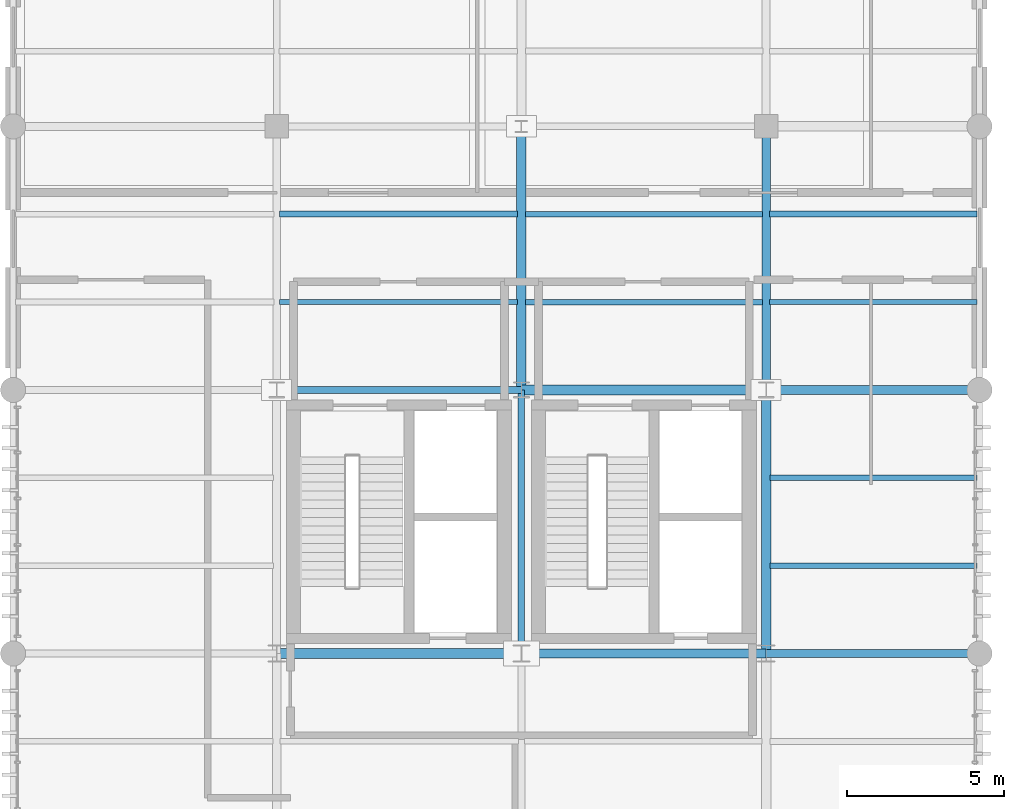
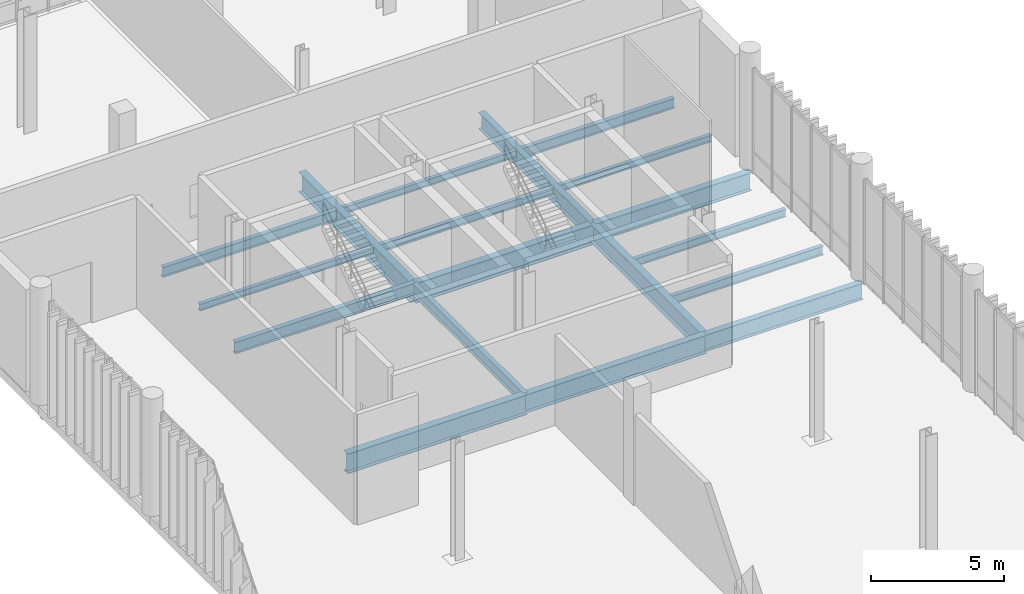
# One storey, part 66 of 112: 18 beams.
"""IFC4 building model written with IfcOpenShell, lengths in metres."""

from ifc_helpers import new_model, si_unit, direction, frame, origin_with_axes, origin_2d_with_axis, place, context, subcontext, project, spatial, i_section, extrude, material, material_profile, profile_set, type_object, element, save


model = new_model("IFC4")

# Units and contexts
model_context = context("Model", 3, precision=1e-05, world=origin_with_axes(), true_north=direction((0.0, 1.0)))
body_context = subcontext(model_context, "Body", "Model", "MODEL_VIEW")
ifc_project = project(units=[si_unit("LENGTHUNIT", "METRE"), si_unit("AREAUNIT", "SQUARE_METRE"), si_unit("VOLUMEUNIT", "CUBIC_METRE"), si_unit("PLANEANGLEUNIT", "RADIAN"), si_unit("MASSUNIT", "GRAM", prefix="KILO"), si_unit("THERMODYNAMICTEMPERATUREUNIT", "KELVIN")], contexts=[model_context])

# Site, building, storey
site_placement = place(None, origin_with_axes())
site = spatial("IfcSite", under=ifc_project, at=site_placement, CompositionType="ELEMENT")
building_placement = place(site_placement, origin_with_axes())
building = spatial("IfcBuilding", under=site, at=building_placement, Name="Montbau Bow Law Courts", CompositionType="ELEMENT")
storey_placement = place(building_placement, origin_with_axes())
storey = spatial("IfcBuildingStorey", under=building, at=storey_placement, Name="L00", CompositionType="ELEMENT", Elevation=0.0)

# Beams
ifc_material = material(Name="Steel CSA G40.21 Grade 350W (350 MPa)", Category="steel")
ifc_material_profile_1 = material_profile(ifc_material, i_section(OverallWidth=0.306, OverallDepth=0.919, WebThickness=0.0173, FlangeThickness=0.0279, at=origin_2d_with_axis()), Name="W920X253", Category="Main", Priority=0)
ifc_profile_set_1 = profile_set([ifc_material_profile_1], Name="Steel CSA G40.21 Grade 350W (350 MPa)")
beam_type_1 = type_object("IfcBeamType", Name="B-FLR-01", PredefinedType="BEAM", material=ifc_profile_set_1)
for number, where, z_axis, x_axis, name in (
    (1, (147.0, 86.4, -0.72), (1.0, 0.0, 0.0), (0.0, 1.0, 0.0), "BM-L00-S0412:bm2_0415"),
    (2, (154.8, 94.8, -0.72), (1.0, 0.0, 0.0), (0.0, 1.0, 0.0), "BM-L00-S0417:bm2_0420"),
):
    element("IfcBeam", number, at=place(None, frame(where, z_axis=z_axis, x_axis=x_axis)), inside=storey, type_object=beam_type_1, Name=name, PredefinedType="BEAM", context=body_context, shape_type="SweptSolid", body=[
        extrude(i_section(OverallWidth=0.306, OverallDepth=0.919, WebThickness=0.0173, FlangeThickness=0.0279, at=origin_2d_with_axis()), origin_with_axes(), (0.0, 0.0, 1.0), 7.8),
    ])
beam_1_placement = place(None, frame((154.8, 94.8, -0.72), z_axis=(0.0, 1.0, 0.0), x_axis=(-1.0, 0.0, 0.0)))
element("IfcBeam", 3, at=beam_1_placement, inside=storey, type_object=beam_type_1, Name="BM-L00-S0449:bm2_0452", PredefinedType="BEAM", context=body_context, shape_type="SweptSolid", body=[
    extrude(i_section(OverallWidth=0.306, OverallDepth=0.919, WebThickness=0.0173, FlangeThickness=0.0279, at=origin_2d_with_axis()), origin_with_axes(), (0.0, 0.0, 1.0), 8.4),
])
ifc_material_profile_2 = material_profile(ifc_material, i_section(OverallWidth=0.293, OverallDepth=0.846, WebThickness=0.0154, FlangeThickness=0.0244, at=origin_2d_with_axis()), Name="W840X210", Category="Main", Priority=0)
ifc_profile_set_2 = profile_set([ifc_material_profile_2], Name="Steel CSA G40.21 Grade 350W (350 MPa)")
beam_type_2 = type_object("IfcBeamType", Name="B-FLR-02", PredefinedType="BEAM", material=ifc_profile_set_2)
beam_2_placement = place(None, frame((154.8, 86.4, -0.683), z_axis=(1.0, 0.0, 0.0), x_axis=(0.0, 1.0, 0.0)))
element("IfcBeam", 4, at=beam_2_placement, inside=storey, type_object=beam_type_2, Name="BM-L00-S0413:bm2_0416", PredefinedType="BEAM", context=body_context, shape_type="SweptSolid", body=[
    extrude(i_section(OverallWidth=0.293, OverallDepth=0.846, WebThickness=0.0154, FlangeThickness=0.0244, at=origin_2d_with_axis()), origin_with_axes(), (0.0, 0.0, 1.0), 7.8),
])
beam_3_placement = place(None, frame((162.6, 94.8, -0.683), z_axis=(1.0, 0.0, 0.0), x_axis=(0.0, 1.0, 0.0)))
element("IfcBeam", 5, at=beam_3_placement, inside=storey, type_object=beam_type_2, Name="BM-L00-S0418:bm2_0421", PredefinedType="BEAM", context=body_context, shape_type="SweptSolid", body=[
    extrude(i_section(OverallWidth=0.293, OverallDepth=0.846, WebThickness=0.0154, FlangeThickness=0.0244, at=origin_2d_with_axis()), origin_with_axes(), (0.0, 0.0, 1.0), 6.8),
])
beam_4_placement = place(None, frame((162.6, 86.4, -0.683), z_axis=(0.0, 1.0, 0.0), x_axis=(-1.0, 0.0, 0.0)))
element("IfcBeam", 6, at=beam_4_placement, inside=storey, type_object=beam_type_2, Name="BM-L00-S0455:bm2_0458", PredefinedType="BEAM", context=body_context, shape_type="SweptSolid", body=[
    extrude(i_section(OverallWidth=0.293, OverallDepth=0.846, WebThickness=0.0154, FlangeThickness=0.0244, at=origin_2d_with_axis()), origin_with_axes(), (0.0, 0.0, 1.0), 8.4),
])
ifc_material_profile_3 = material_profile(ifc_material, i_section(OverallWidth=0.267, OverallDepth=0.766, WebThickness=0.0149, FlangeThickness=0.0236, at=origin_2d_with_axis()), Name="W760X185", Category="Main", Priority=0)
ifc_profile_set_3 = profile_set([ifc_material_profile_3], Name="Steel CSA G40.21 Grade 350W (350 MPa)")
beam_type_3 = type_object("IfcBeamType", Name="B-FLR-03", PredefinedType="BEAM", material=ifc_profile_set_3)
beam_5_placement = place(None, frame((162.6, 86.4, -0.643), z_axis=(1.0, 0.0, 0.0), x_axis=(0.0, 1.0, 0.0)))
element("IfcBeam", 7, at=beam_5_placement, inside=storey, type_object=beam_type_3, Name="BM-L00-S0414:bm2_0417", PredefinedType="BEAM", context=body_context, shape_type="SweptSolid", body=[
    extrude(i_section(OverallWidth=0.267, OverallDepth=0.766, WebThickness=0.0149, FlangeThickness=0.0236, at=origin_2d_with_axis()), origin_with_axes(), (0.0, 0.0, 1.0), 6.8),
])
beam_6_placement = place(None, frame((162.6, 94.8, -0.643), z_axis=(0.0, 1.0, 0.0), x_axis=(-1.0, 0.0, 0.0)))
element("IfcBeam", 8, at=beam_6_placement, inside=storey, type_object=beam_type_3, Name="BM-L00-S0456:bm2_0459", PredefinedType="BEAM", context=body_context, shape_type="SweptSolid", body=[
    extrude(i_section(OverallWidth=0.267, OverallDepth=0.766, WebThickness=0.0149, FlangeThickness=0.0236, at=origin_2d_with_axis()), origin_with_axes(), (0.0, 0.0, 1.0), 8.4),
])
ifc_material_profile_4 = material_profile(ifc_material, i_section(OverallWidth=0.21, OverallDepth=0.537, WebThickness=0.0109, FlangeThickness=0.0174, at=origin_2d_with_axis()), Name="W530X101", Category="Main", Priority=0)
ifc_profile_set_4 = profile_set([ifc_material_profile_4], Name="Steel CSA G40.21 Grade 350W (350 MPa)")
beam_type_4 = type_object("IfcBeamType", Name="B-FLR-06", PredefinedType="BEAM", material=ifc_profile_set_4)
beam_7_placement = place(None, frame((147.0, 94.8, -0.528), z_axis=(1.0, 0.0, 0.0), x_axis=(0.0, 1.0, 0.0)))
element("IfcBeam", 9, at=beam_7_placement, inside=storey, type_object=beam_type_4, Name="BM-L00-S0416:bm2_0419", PredefinedType="BEAM", context=body_context, shape_type="SweptSolid", body=[
    extrude(i_section(OverallWidth=0.21, OverallDepth=0.537, WebThickness=0.0109, FlangeThickness=0.0174, at=origin_2d_with_axis()), origin_with_axes(), (0.0, 0.0, 1.0), 7.8),
])
beam_8_placement = place(None, frame((154.8, 86.4, -0.528), z_axis=(0.0, 1.0, 0.0), x_axis=(-1.0, 0.0, 0.0)))
element("IfcBeam", 10, at=beam_8_placement, inside=storey, type_object=beam_type_4, Name="BM-L00-S0448:bm2_0451", PredefinedType="BEAM", context=body_context, shape_type="SweptSolid", body=[
    extrude(i_section(OverallWidth=0.21, OverallDepth=0.537, WebThickness=0.0109, FlangeThickness=0.0174, at=origin_2d_with_axis()), origin_with_axes(), (0.0, 0.0, 1.0), 8.4),
])
ifc_material_profile_5 = material_profile(ifc_material, i_section(OverallWidth=0.191, OverallDepth=0.46, WebThickness=0.0099, FlangeThickness=0.016, at=origin_2d_with_axis()), Name="W460X82", Category="Main", Priority=0)
ifc_profile_set_5 = profile_set([ifc_material_profile_5], Name="Steel CSA G40.21 Grade 350W (350 MPa)")
beam_type_5 = type_object("IfcBeamType", Name="B-JST-01", PredefinedType="JOIST", material=ifc_profile_set_5)
beam_9_placement = place(None, frame((147.09, 100.4, -0.49), z_axis=(1.0, 0.0, 0.0), x_axis=(0.0, 1.0, 0.0)))
element("IfcBeam", 11, at=beam_9_placement, inside=storey, type_object=beam_type_5, Name="JST-L00-S0200:jst2_0200", PredefinedType="JOIST", context=body_context, shape_type="SweptSolid", body=[
    extrude(i_section(OverallWidth=0.191, OverallDepth=0.46, WebThickness=0.0099, FlangeThickness=0.016, at=origin_2d_with_axis()), origin_with_axes(), (0.0, 0.0, 1.0), 7.581),
])
beam_10_placement = place(None, frame((162.709, 100.4, -0.49), z_axis=(1.0, 0.0, 0.0), x_axis=(0.0, 1.0, 0.0)))
element("IfcBeam", 12, at=beam_10_placement, inside=storey, type_object=beam_type_5, Name="JST-L00-S0224:jst2_0224", PredefinedType="JOIST", context=body_context, shape_type="SweptSolid", body=[
    extrude(i_section(OverallWidth=0.191, OverallDepth=0.46, WebThickness=0.0099, FlangeThickness=0.016, at=origin_2d_with_axis()), origin_with_axes(), (0.0, 0.0, 1.0), 6.611),
])
ifc_material_profile_6 = material_profile(ifc_material, i_section(OverallWidth=0.179, OverallDepth=0.41, WebThickness=0.0088, FlangeThickness=0.0144, at=origin_2d_with_axis()), Name="W410X67", Category="Main", Priority=0)
ifc_profile_set_6 = profile_set([ifc_material_profile_6], Name="Steel CSA G40.21 Grade 350W (350 MPa)")
beam_type_6 = type_object("IfcBeamType", Name="B-JST-02", PredefinedType="JOIST", material=ifc_profile_set_6)
beam_11_placement = place(None, frame((162.722, 89.2, -0.465), z_axis=(1.0, 0.0, 0.0), x_axis=(0.0, 1.0, 0.0)))
element("IfcBeam", 13, at=beam_11_placement, inside=storey, type_object=beam_type_6, Name="JST-L00-S0221:jst2_0221", PredefinedType="JOIST", context=body_context, shape_type="SweptSolid", body=[
    extrude(i_section(OverallWidth=0.179, OverallDepth=0.41, WebThickness=0.0088, FlangeThickness=0.0144, at=origin_2d_with_axis()), origin_with_axes(), (0.0, 0.0, 1.0), 6.598),
])
ifc_material_profile_7 = material_profile(ifc_material, i_section(OverallWidth=0.172, OverallDepth=0.358, WebThickness=0.0079, FlangeThickness=0.0131, at=origin_2d_with_axis()), Name="W360X57", Category="Main", Priority=0)
ifc_profile_set_7 = profile_set([ifc_material_profile_7], Name="Steel CSA G40.21 Grade 350W (350 MPa)")
beam_type_7 = type_object("IfcBeamType", Name="B-JST-03", PredefinedType="JOIST", material=ifc_profile_set_7)
beam_12_placement = place(None, frame((154.929, 97.6, -0.439), z_axis=(1.0, 0.0, 0.0), x_axis=(0.0, 1.0, 0.0)))
element("IfcBeam", 14, at=beam_12_placement, inside=storey, type_object=beam_type_7, Name="JST-L00-S0210:jst2_0210", PredefinedType="JOIST", context=body_context, shape_type="SweptSolid", body=[
    extrude(i_section(OverallWidth=0.172, OverallDepth=0.358, WebThickness=0.0079, FlangeThickness=0.0131, at=origin_2d_with_axis()), origin_with_axes(), (0.0, 0.0, 1.0), 7.561),
])
beam_13_placement = place(None, frame((162.722, 92.0, -0.439), z_axis=(1.0, 0.0, 0.0), x_axis=(0.0, 1.0, 0.0)))
element("IfcBeam", 15, at=beam_13_placement, inside=storey, type_object=beam_type_7, Name="JST-L00-S0222:jst2_0222", PredefinedType="JOIST", context=body_context, shape_type="SweptSolid", body=[
    extrude(i_section(OverallWidth=0.172, OverallDepth=0.358, WebThickness=0.0079, FlangeThickness=0.0131, at=origin_2d_with_axis()), origin_with_axes(), (0.0, 0.0, 1.0), 6.598),
])
ifc_material_profile_8 = material_profile(ifc_material, i_section(OverallWidth=0.166, OverallDepth=0.313, WebThickness=0.0066, FlangeThickness=0.0112, at=origin_2d_with_axis()), Name="W310X45", Category="Main", Priority=0)
ifc_profile_set_8 = profile_set([ifc_material_profile_8], Name="Steel CSA G40.21 Grade 350W (350 MPa)")
beam_type_8 = type_object("IfcBeamType", Name="B-JST-04", PredefinedType="JOIST", material=ifc_profile_set_8)
beam_14_placement = place(None, frame((147.09, 97.6, -0.416), z_axis=(1.0, 0.0, 0.0), x_axis=(0.0, 1.0, 0.0)))
element("IfcBeam", 16, at=beam_14_placement, inside=storey, type_object=beam_type_8, Name="JST-L00-S0199:jst2_0199", PredefinedType="JOIST", context=body_context, shape_type="SweptSolid", body=[
    extrude(i_section(OverallWidth=0.166, OverallDepth=0.313, WebThickness=0.0066, FlangeThickness=0.0112, at=origin_2d_with_axis()), origin_with_axes(), (0.0, 0.0, 1.0), 7.581),
])
beam_15_placement = place(None, frame((154.929, 100.4, -0.416), z_axis=(1.0, 0.0, 0.0), x_axis=(0.0, 1.0, 0.0)))
element("IfcBeam", 17, at=beam_15_placement, inside=storey, type_object=beam_type_8, Name="JST-L00-S0211:jst2_0211", PredefinedType="JOIST", context=body_context, shape_type="SweptSolid", body=[
    extrude(i_section(OverallWidth=0.166, OverallDepth=0.313, WebThickness=0.0066, FlangeThickness=0.0112, at=origin_2d_with_axis()), origin_with_axes(), (0.0, 0.0, 1.0), 7.561),
])
beam_16_placement = place(None, frame((162.709, 97.6, -0.416), z_axis=(1.0, 0.0, 0.0), x_axis=(0.0, 1.0, 0.0)))
element("IfcBeam", 18, at=beam_16_placement, inside=storey, type_object=beam_type_8, Name="JST-L00-S0223:jst2_0223", PredefinedType="JOIST", context=body_context, shape_type="SweptSolid", body=[
    extrude(i_section(OverallWidth=0.166, OverallDepth=0.313, WebThickness=0.0066, FlangeThickness=0.0112, at=origin_2d_with_axis()), origin_with_axes(), (0.0, 0.0, 1.0), 6.611),
])

save(model, "model.ifc")
